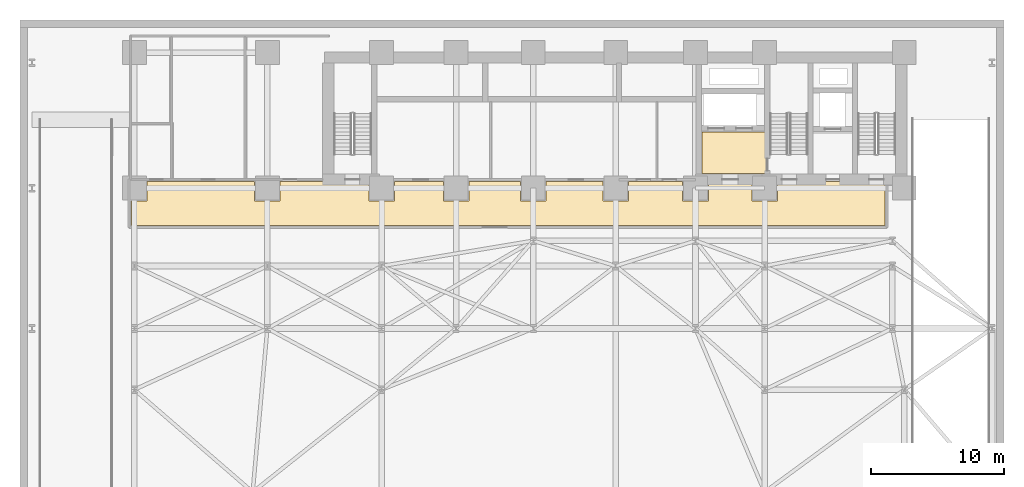
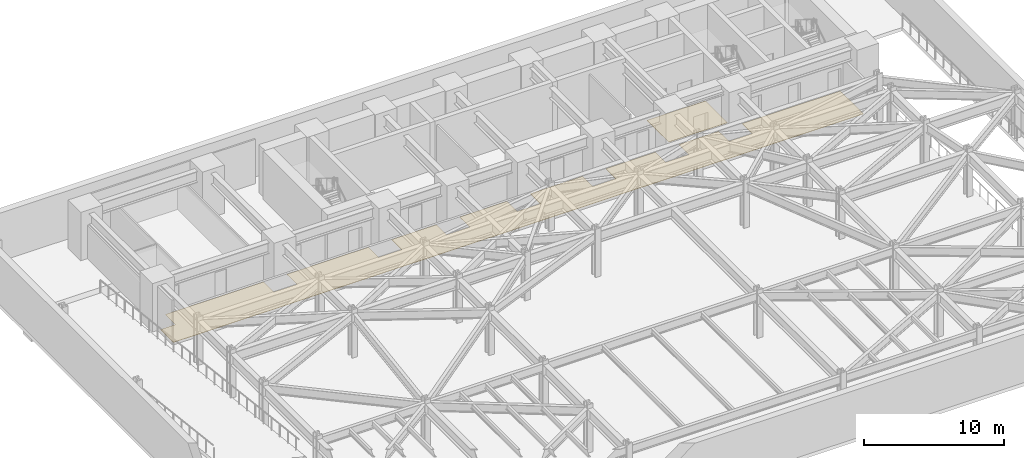
# One storey, part 8 of 11: 2 coverings.
"""IFC4 building model written with IfcOpenShell, lengths in metres."""

from ifc_helpers import new_model, si_unit, direction, frame, origin, place, context, subcontext, project, spatial, polyline, outline, extrude, material, layer, layer_set, type_object, element, save


model = new_model("IFC4")

# Units and contexts
model_context = context("Model", 3, precision=1e-05, world=origin(), true_north=direction((0.0, 1.0)))
body_context = subcontext(model_context, "Body", "Model", "MODEL_VIEW")
ifc_project = project(units=[si_unit("LENGTHUNIT", "METRE"), si_unit("AREAUNIT", "SQUARE_METRE"), si_unit("VOLUMEUNIT", "CUBIC_METRE"), si_unit("PLANEANGLEUNIT", "RADIAN"), si_unit("MASSUNIT", "GRAM", prefix="KILO")], contexts=[model_context])

# Site, building, storey
site_placement = place(None, origin())
site = spatial("IfcSite", under=ifc_project, at=site_placement, CompositionType="ELEMENT")
building_placement = place(site_placement, origin())
building = spatial("IfcBuilding", under=site, at=building_placement, Name="Kravanh Interchange Tower", CompositionType="ELEMENT")
storey_placement = place(building_placement, frame((0.0, 0.0, -4.199951171875)))
storey = spatial("IfcBuildingStorey", under=building, at=storey_placement, Name="B1", CompositionType="ELEMENT", Elevation=-4.199951171875)

# Coverings
ifc_material = material(Name="Cementitious Terrazzo Tile")
ifc_layer = layer(ifc_material, 0.030029296875)
ifc_layer_set = layer_set([ifc_layer], Name="Honed Terrazzo Lobby Flooring 30mm")
covering_type = type_object("IfcCoveringType", Name="Honed Terrazzo Lobby Flooring 30mm", PredefinedType="FLOORING", material=ifc_layer_set)
covering_1_placement = place(storey_placement, origin())
element("IfcCovering", 1, at=covering_1_placement, inside=storey, type_object=covering_type, Name="B1 Firefighting Lobby Floor Finish", PredefinedType="FLOORING", context=body_context, shape_type="SweptSolid", body=[
    extrude(outline(polyline([(56.1201171875, 38.4599609375), (51.300048828125, 38.4599609375), (51.300048828125, 41.580078125), (56.1201171875, 41.580078125), (56.1201171875, 38.4599609375)])), origin(), (0.0, 0.0, 1.0), 0.030029296875),
])
covering_2_placement = place(storey_placement, origin())
element("IfcCovering", 2, at=covering_2_placement, inside=storey, type_object=covering_type, Name="B1 Basement Core Corridor Floor Finish", PredefinedType="FLOORING", context=body_context, shape_type="SweptSolid", body=[
    extrude(outline(polyline([(17.639892578125, 37.840087890625), (17.639892578125, 36.389892578125), (19.56005859375, 36.389892578125), (19.56005859375, 37.840087890625), (26.239990234375, 37.840087890625), (26.239990234375, 36.389892578125), (28.159912109375, 36.389892578125), (28.159912109375, 37.840087890625), (31.840087890625, 37.840087890625), (31.840087890625, 36.389892578125), (33.760009765625, 36.389892578125), (33.760009765625, 37.840087890625), (37.639892578125, 37.840087890625), (37.639892578125, 36.389892578125), (39.56005859375, 36.389892578125), (39.56005859375, 37.840087890625), (43.840087890625, 37.840087890625), (43.840087890625, 36.389892578125), (45.760009765625, 36.389892578125), (45.760009765625, 37.840087890625), (49.840087890625, 37.840087890625), (49.840087890625, 36.389892578125), (51.760009765625, 36.389892578125), (51.760009765625, 37.840087890625), (55.0400390625, 37.840087890625), (55.0400390625, 36.389892578125), (56.9599609375, 36.389892578125), (56.9599609375, 37.840087890625), (65.0400390625, 37.840087890625), (65.0400390625, 34.56005859375), (8.330078125, 34.56005859375), (8.330078125, 36.389892578125), (9.56005859375, 36.389892578125), (9.56005859375, 37.840087890625), (17.639892578125, 37.840087890625)])), origin(), (0.0, 0.0, 1.0), 0.030029296875),
])

save(model, "model.ifc")
